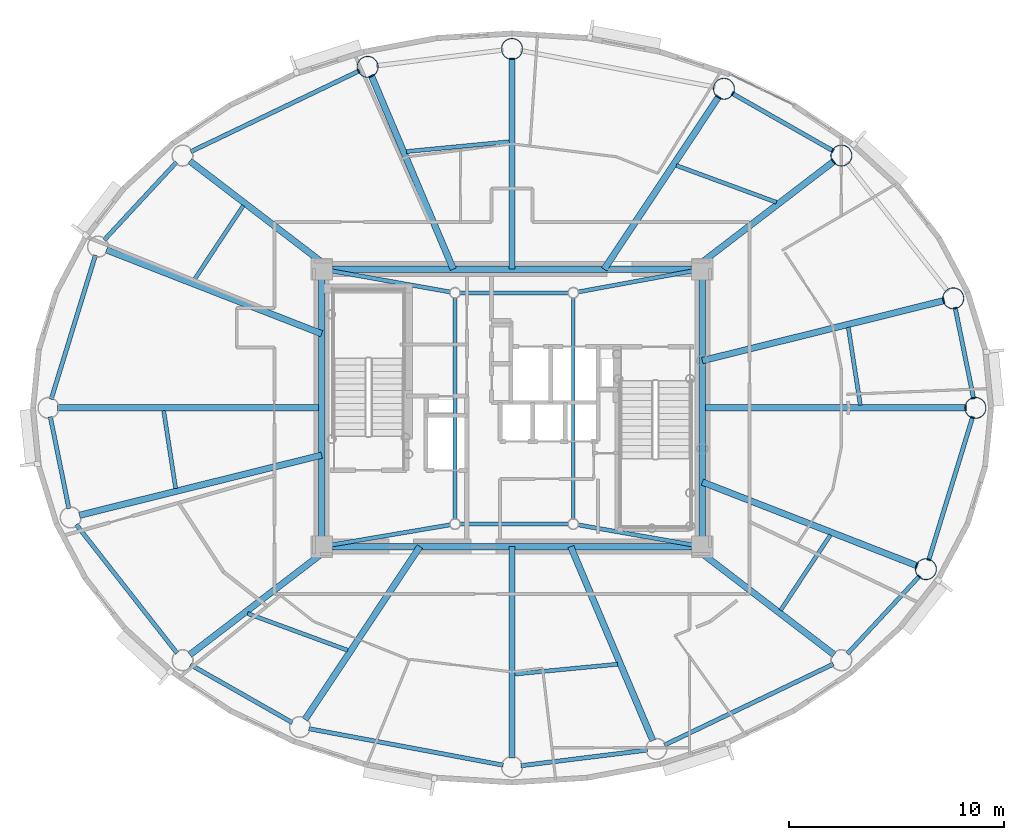
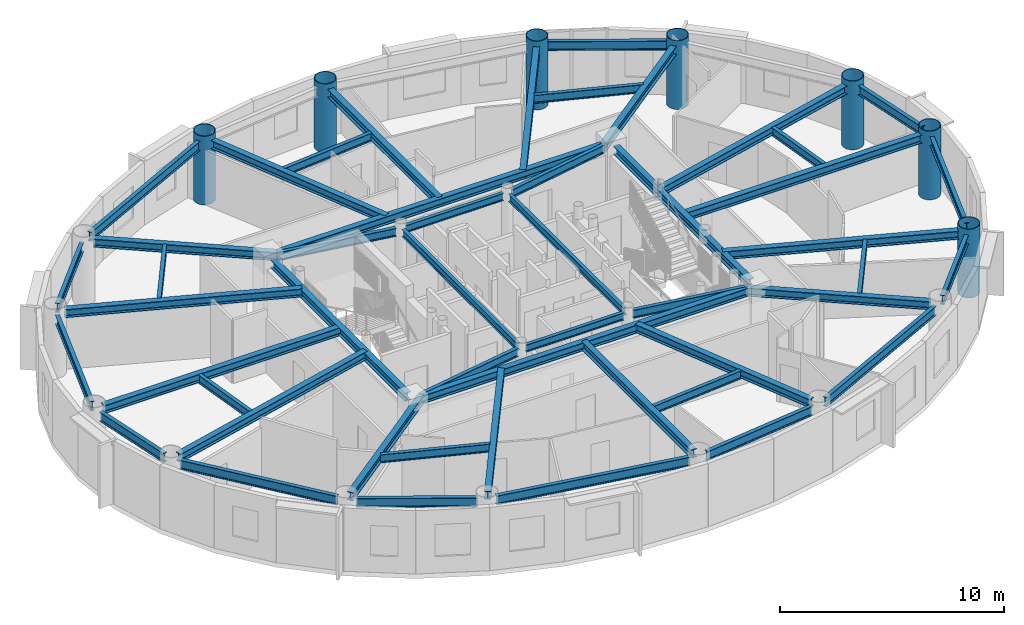
# One storey, part 2 of 17: 49 beams, 7 columns.
"""IFC4 building model written with IfcOpenShell, lengths in metres."""

from ifc_helpers import new_model, si_unit, direction, frame, origin, origin_2d, place, context, subcontext, project, spatial, hollow_circle, i_section, extrude, material, material_profile, profile_set, type_object, element, save


model = new_model("IFC4")

# Units and contexts
model_context = context("Model", 3, precision=1e-05, world=origin(), true_north=direction((0.0, 1.0)))
body_context = subcontext(model_context, "Body", "Model", "MODEL_VIEW")
ifc_project = project(units=[si_unit("LENGTHUNIT", "METRE"), si_unit("AREAUNIT", "SQUARE_METRE"), si_unit("VOLUMEUNIT", "CUBIC_METRE"), si_unit("PLANEANGLEUNIT", "RADIAN"), si_unit("MASSUNIT", "GRAM", prefix="KILO")], contexts=[model_context])

# Site, building, storey
site_placement = place(None, origin())
site = spatial("IfcSite", under=ifc_project, at=site_placement, CompositionType="ELEMENT")
building_placement = place(site_placement, origin())
building = spatial("IfcBuilding", under=site, at=building_placement, Name="Linh Dai School and Residence Tower", CompositionType="ELEMENT")
storey_placement = place(building_placement, frame((0.0, 0.0, 314.25)))
storey = spatial("IfcBuildingStorey", under=building, at=storey_placement, Name="L78", CompositionType="ELEMENT", Elevation=314.25)

# Columns
ifc_material = material(Name="Structural Steel S355JR", Category="steel")
ifc_material_profile_1 = material_profile(ifc_material, hollow_circle(Radius=0.5, WallThickness=0.031982421875, at=origin_2d()), Name="CHS 1000x32")
ifc_profile_set_1 = profile_set([ifc_material_profile_1], Name="Structural Steel S355JR")
column_type = type_object("IfcColumnType", Name="COL-MC6", PredefinedType="COLUMN", material=ifc_profile_set_1)
for number, where, z_axis, x_axis, name in (
    (1, (57.550048828125, 27.0, 0.0), (0.0, 0.0, 1.0), (1.0, 0.0, 0.0), "L78 Perimeter CFT Mega-Column MC01"),
    (2, (56.5185546875, 32.094482421875, 0.0), (0.0, 0.0, 1.0), (1.0, 0.0, 0.0), "L78 Perimeter CFT Mega-Column MC02"),
    (3, (51.315185546875, 38.7333984375, 0.0), (0.0, 0.0, 1.0), (1.0, 0.0, 0.0), "L78 Perimeter CFT Mega-Column MC03"),
    (4, (45.8544921875, 41.8388671875, 0.0), (0.0, 0.0, 1.0), (1.0, 0.0, 0.0), "L78 Perimeter CFT Mega-Column MC04"),
    (5, (36.0, 43.68994140625, 0.0), (0.0, 0.0, 1.0), (1.0, 0.0, 0.0), "L78 Perimeter CFT Mega-Column MC05"),
    (6, (29.28759765625, 42.857666015625, 0.0), (0.0, 0.0, 1.0), (1.0, 0.0, 0.0), "L78 Perimeter CFT Mega-Column MC06"),
    (7, (55.24609375, 19.50048828125, 0.0), (0.0, 0.0, 1.0), (1.0, 0.0, 0.0), "L78 Perimeter CFT Mega-Column MC16"),
):
    element("IfcColumn", number, at=place(storey_placement, frame(where, z_axis=z_axis, x_axis=x_axis)), inside=storey, type_object=column_type, Name=name, PredefinedType="COLUMN", context=body_context, shape_type="SweptSolid", body=[
        extrude(hollow_circle(Radius=0.5, WallThickness=0.031982421875, at=origin_2d()), origin(), (0.0, 0.0, 1.0), 3.75),
    ])

# Beams
ifc_material_profile_2 = material_profile(ifc_material, i_section(OverallWidth=0.199951171875, OverallDepth=0.5, WebThickness=0.01025390625, FlangeThickness=0.01611328125, FilletRadius=0.02099609375, at=origin_2d()), Name="IPE 500")
ifc_profile_set_2 = profile_set([ifc_material_profile_2], Name="Structural Steel S355JR")
beam_type_1 = type_object("IfcBeamType", Name="BM-RB50", PredefinedType="BEAM", material=ifc_profile_set_2)
beam_1_placement = place(storey_placement, frame((57.466552734375, 27.41162109375, 3.199951171875), z_axis=(-0.198442801529, 0.980112470343, 0.0), x_axis=(-0.980112470343, -0.198442801529, 0.0)))
element("IfcBeam", 8, at=beam_1_placement, inside=storey, type_object=beam_type_1, Name="L78 Perimeter Elliptical Ring Beam 01", PredefinedType="BEAM", context=body_context, shape_type="SweptSolid", body=[
    extrude(i_section(OverallWidth=0.199951171875, OverallDepth=0.5, WebThickness=0.01025390625, FlangeThickness=0.01611328125, FilletRadius=0.02099609375, at=origin_2d()), origin(), (0.0, 0.0, 1.0), 4.357666015625),
])
beam_2_placement = place(storey_placement, frame((50.949951171875, 38.94091796875, 3.199951171875), z_axis=(-0.869265548778, 0.494345431564, 0.0), x_axis=(-0.494345431564, -0.869265548778, 0.0)))
element("IfcBeam", 9, at=beam_2_placement, inside=storey, type_object=beam_type_1, Name="L78 Perimeter Elliptical Ring Beam 03", PredefinedType="BEAM", context=body_context, shape_type="SweptSolid", body=[
    extrude(i_section(OverallWidth=0.199951171875, OverallDepth=0.5, WebThickness=0.01025390625, FlangeThickness=0.01611328125, FilletRadius=0.02099609375, at=origin_2d()), origin(), (0.0, 0.0, 1.0), 5.44189453125),
])
beam_3_placement = place(storey_placement, frame((28.908935546875, 42.67626953125, 3.199951171875), z_axis=(-0.901728757887, -0.4323022637, 0.0), x_axis=(0.4323022637, -0.901728757887, 0.0)))
element("IfcBeam", 10, at=beam_3_placement, inside=storey, type_object=beam_type_1, Name="L78 Perimeter Elliptical Ring Beam 06", PredefinedType="BEAM", context=body_context, shape_type="SweptSolid", body=[
    extrude(i_section(OverallWidth=0.199951171875, OverallDepth=0.5, WebThickness=0.01025390625, FlangeThickness=0.01611328125, FilletRadius=0.02099609375, at=origin_2d()), origin(), (0.0, 0.0, 1.0), 8.700439453125),
])
beam_4_placement = place(storey_placement, frame((20.399169921875, 38.425537109375, 3.199951171875), z_axis=(-0.680415064526, -0.7328269509, 0.0), x_axis=(0.7328269509, -0.680415064526, 0.0)))
element("IfcBeam", 11, at=beam_4_placement, inside=storey, type_object=beam_type_1, Name="L78 Perimeter Elliptical Ring Beam 07", PredefinedType="BEAM", context=body_context, shape_type="SweptSolid", body=[
    extrude(i_section(OverallWidth=0.199951171875, OverallDepth=0.5, WebThickness=0.01025390625, FlangeThickness=0.01611328125, FilletRadius=0.02099609375, at=origin_2d()), origin(), (0.0, 0.0, 1.0), 4.9375),
])
beam_5_placement = place(storey_placement, frame((16.630615234375, 34.097900390625, 3.199951171875), z_axis=(-0.293681749834, -0.955903253376, 0.0), x_axis=(0.955903253376, -0.293681749834, 0.0)))
element("IfcBeam", 12, at=beam_5_placement, inside=storey, type_object=beam_type_1, Name="L78 Perimeter Elliptical Ring Beam 08", PredefinedType="BEAM", context=body_context, shape_type="SweptSolid", body=[
    extrude(i_section(OverallWidth=0.199951171875, OverallDepth=0.5, WebThickness=0.01025390625, FlangeThickness=0.01611328125, FilletRadius=0.02099609375, at=origin_2d()), origin(), (0.0, 0.0, 1.0), 7.00537109375),
])
beam_6_placement = place(storey_placement, frame((14.533447265625, 26.58837890625, 3.199951171875), z_axis=(0.198442801529, -0.980112470343, 0.0), x_axis=(0.980112470343, 0.198442801529, 0.0)))
element("IfcBeam", 13, at=beam_6_placement, inside=storey, type_object=beam_type_1, Name="L78 Perimeter Elliptical Ring Beam 09", PredefinedType="BEAM", context=body_context, shape_type="SweptSolid", body=[
    extrude(i_section(OverallWidth=0.199951171875, OverallDepth=0.5, WebThickness=0.01025390625, FlangeThickness=0.01611328125, FilletRadius=0.02099609375, at=origin_2d()), origin(), (0.0, 0.0, 1.0), 4.357666015625),
])
beam_7_placement = place(storey_placement, frame((15.740478515625, 21.574951171875, 3.199951171875), z_axis=(0.616882739554, -0.787055071542, 0.0), x_axis=(0.787055071542, 0.616882739554, 0.0)))
element("IfcBeam", 14, at=beam_7_placement, inside=storey, type_object=beam_type_1, Name="L78 Perimeter Elliptical Ring Beam 10", PredefinedType="BEAM", context=body_context, shape_type="SweptSolid", body=[
    extrude(i_section(OverallWidth=0.199951171875, OverallDepth=0.5, WebThickness=0.01025390625, FlangeThickness=0.01611328125, FilletRadius=0.02099609375, at=origin_2d()), origin(), (0.0, 0.0, 1.0), 7.59521484375),
])
beam_8_placement = place(storey_placement, frame((21.050048828125, 15.05908203125, 3.199951171875), z_axis=(0.869265548778, -0.494345431564, 0.0), x_axis=(0.494345431564, 0.869265548778, 0.0)))
element("IfcBeam", 15, at=beam_8_placement, inside=storey, type_object=beam_type_1, Name="L78 Perimeter Elliptical Ring Beam 11", PredefinedType="BEAM", context=body_context, shape_type="SweptSolid", body=[
    extrude(i_section(OverallWidth=0.199951171875, OverallDepth=0.5, WebThickness=0.01025390625, FlangeThickness=0.01611328125, FilletRadius=0.02099609375, at=origin_2d()), origin(), (0.0, 0.0, 1.0), 5.44189453125),
])
beam_9_placement = place(storey_placement, frame((26.558349609375, 12.083740234375, 3.199951171875), z_axis=(0.982805333306, -0.184644731378, 0.0), x_axis=(0.184644731378, 0.982805333306, 0.0)))
element("IfcBeam", 16, at=beam_9_placement, inside=storey, type_object=beam_type_1, Name="L78 Perimeter Elliptical Ring Beam 12", PredefinedType="BEAM", context=body_context, shape_type="SweptSolid", body=[
    extrude(i_section(OverallWidth=0.199951171875, OverallDepth=0.5, WebThickness=0.01025390625, FlangeThickness=0.01611328125, FilletRadius=0.02099609375, at=origin_2d()), origin(), (0.0, 0.0, 1.0), 9.186767578125),
])
beam_10_placement = place(storey_placement, frame((36.416748046875, 10.361572265625, 3.199951171875), z_axis=(0.992399134443, 0.123060789678, 0.0), x_axis=(-0.123060789678, 0.992399134443, 0.0)))
element("IfcBeam", 17, at=beam_10_placement, inside=storey, type_object=beam_type_1, Name="L78 Perimeter Elliptical Ring Beam 13", PredefinedType="BEAM", context=body_context, shape_type="SweptSolid", body=[
    extrude(i_section(OverallWidth=0.199951171875, OverallDepth=0.5, WebThickness=0.01025390625, FlangeThickness=0.01611328125, FilletRadius=0.02099609375, at=origin_2d()), origin(), (0.0, 0.0, 1.0), 5.923828125),
])
beam_11_placement = place(storey_placement, frame((43.091064453125, 11.32373046875, 3.199951171875), z_axis=(0.901728757887, 0.4323022637, 0.0), x_axis=(-0.4323022637, 0.901728757887, 0.0)))
element("IfcBeam", 18, at=beam_11_placement, inside=storey, type_object=beam_type_1, Name="L78 Perimeter Elliptical Ring Beam 14", PredefinedType="BEAM", context=body_context, shape_type="SweptSolid", body=[
    extrude(i_section(OverallWidth=0.199951171875, OverallDepth=0.5, WebThickness=0.01025390625, FlangeThickness=0.01611328125, FilletRadius=0.02099609375, at=origin_2d()), origin(), (0.0, 0.0, 1.0), 8.700439453125),
])
beam_12_placement = place(storey_placement, frame((51.600830078125, 15.574462890625, 3.199951171875), z_axis=(0.680415064526, 0.7328269509, 0.0), x_axis=(-0.7328269509, 0.680415064526, 0.0)))
element("IfcBeam", 19, at=beam_12_placement, inside=storey, type_object=beam_type_1, Name="L78 Perimeter Elliptical Ring Beam 15", PredefinedType="BEAM", context=body_context, shape_type="SweptSolid", body=[
    extrude(i_section(OverallWidth=0.199951171875, OverallDepth=0.5, WebThickness=0.01025390625, FlangeThickness=0.01611328125, FilletRadius=0.02099609375, at=origin_2d()), origin(), (0.0, 0.0, 1.0), 4.9375),
])
beam_13_placement = place(storey_placement, frame((55.369384765625, 19.902099609375, 3.199951171875), z_axis=(0.293681749834, 0.955903253376, 0.0), x_axis=(-0.955903253376, 0.293681749834, 0.0)))
element("IfcBeam", 20, at=beam_13_placement, inside=storey, type_object=beam_type_1, Name="L78 Perimeter Elliptical Ring Beam 16", PredefinedType="BEAM", context=body_context, shape_type="SweptSolid", body=[
    extrude(i_section(OverallWidth=0.199951171875, OverallDepth=0.5, WebThickness=0.01025390625, FlangeThickness=0.01611328125, FilletRadius=0.02099609375, at=origin_2d()), origin(), (0.0, 0.0, 1.0), 7.00537109375),
])
ifc_material_profile_3 = material_profile(ifc_material, i_section(OverallWidth=0.300048828125, OverallDepth=0.449951171875, WebThickness=0.013916015625, FlangeThickness=0.02587890625, FilletRadius=0.027099609375, at=origin_2d()), Name="HEB 450")
ifc_profile_set_3 = profile_set([ifc_material_profile_3], Name="Structural Steel S355JR")
beam_type_2 = type_object("IfcBeamType", Name="BM-RG45", PredefinedType="BEAM", material=ifc_profile_set_3)
beam_14_placement = place(storey_placement, frame((27.570068359375, 20.550048828125, 3.22509765625), z_axis=(1.0, 0.0, 0.0), x_axis=(0.0, 1.0, 0.0)))
element("IfcBeam", 21, at=beam_14_placement, inside=storey, type_object=beam_type_2, Name="L78 Core Perimeter Coupling Girder 1", PredefinedType="BEAM", context=body_context, shape_type="SweptSolid", body=[
    extrude(i_section(OverallWidth=0.300048828125, OverallDepth=0.449951171875, WebThickness=0.013916015625, FlangeThickness=0.02587890625, FilletRadius=0.027099609375, at=origin_2d()), origin(), (0.0, 0.0, 1.0), 16.85986328125),
])
beam_15_placement = place(storey_placement, frame((44.85009765625, 20.969970703125, 3.22509765625), z_axis=(0.0, 1.0, 0.0), x_axis=(-1.0, 0.0, 0.0)))
element("IfcBeam", 22, at=beam_15_placement, inside=storey, type_object=beam_type_2, Name="L78 Core Perimeter Coupling Girder 2", PredefinedType="BEAM", context=body_context, shape_type="SweptSolid", body=[
    extrude(i_section(OverallWidth=0.300048828125, OverallDepth=0.449951171875, WebThickness=0.013916015625, FlangeThickness=0.02587890625, FilletRadius=0.027099609375, at=origin_2d()), origin(), (0.0, 0.0, 1.0), 12.06005859375),
])
beam_16_placement = place(storey_placement, frame((44.429931640625, 33.449951171875, 3.22509765625), z_axis=(-1.0, 0.0, 0.0), x_axis=(0.0, -1.0, 0.0)))
element("IfcBeam", 23, at=beam_16_placement, inside=storey, type_object=beam_type_2, Name="L78 Core Perimeter Coupling Girder 3", PredefinedType="BEAM", context=body_context, shape_type="SweptSolid", body=[
    extrude(i_section(OverallWidth=0.300048828125, OverallDepth=0.449951171875, WebThickness=0.013916015625, FlangeThickness=0.02587890625, FilletRadius=0.027099609375, at=origin_2d()), origin(), (0.0, 0.0, 1.0), 16.85986328125),
])
beam_17_placement = place(storey_placement, frame((27.14990234375, 33.030029296875, 3.22509765625), z_axis=(0.0, -1.0, 0.0), x_axis=(1.0, 0.0, 0.0)))
element("IfcBeam", 24, at=beam_17_placement, inside=storey, type_object=beam_type_2, Name="L78 Core Perimeter Coupling Girder 4", PredefinedType="BEAM", context=body_context, shape_type="SweptSolid", body=[
    extrude(i_section(OverallWidth=0.300048828125, OverallDepth=0.449951171875, WebThickness=0.013916015625, FlangeThickness=0.02587890625, FilletRadius=0.027099609375, at=origin_2d()), origin(), (0.0, 0.0, 1.0), 12.06005859375),
])
beam_18_placement = place(storey_placement, frame((44.85009765625, 27.0, 3.22509765625), z_axis=(1.0, 0.0, 0.0), x_axis=(0.0, 1.0, 0.0)))
element("IfcBeam", 25, at=beam_18_placement, inside=storey, type_object=beam_type_2, Name="L78 Primary Radial Floor Girder 01", PredefinedType="BEAM", context=body_context, shape_type="SweptSolid", body=[
    extrude(i_section(OverallWidth=0.300048828125, OverallDepth=0.449951171875, WebThickness=0.013916015625, FlangeThickness=0.02587890625, FilletRadius=0.027099609375, at=origin_2d()), origin(), (0.0, 0.0, 1.0), 12.27978515625),
])
beam_19_placement = place(storey_placement, frame((44.85009765625, 29.197265625, 3.22509765625), z_axis=(0.970532368701, 0.240970789315, 0.0), x_axis=(-0.240970789315, 0.970532368701, 0.0)))
element("IfcBeam", 26, at=beam_19_placement, inside=storey, type_object=beam_type_2, Name="L78 Primary Radial Floor Girder 02", PredefinedType="BEAM", context=body_context, shape_type="SweptSolid", body=[
    extrude(i_section(OverallWidth=0.300048828125, OverallDepth=0.449951171875, WebThickness=0.013916015625, FlangeThickness=0.02587890625, FilletRadius=0.027099609375, at=origin_2d()), origin(), (0.0, 0.0, 1.0), 11.6025390625),
])
beam_20_placement = place(storey_placement, frame((44.4189453125, 33.449951171875, 3.22509765625), z_axis=(0.793802616583, 0.608175472956, 0.0), x_axis=(-0.608175472956, 0.793802616583, 0.0)))
element("IfcBeam", 27, at=beam_20_placement, inside=storey, type_object=beam_type_2, Name="L78 Primary Radial Floor Girder 03", PredefinedType="BEAM", context=body_context, shape_type="SweptSolid", body=[
    extrude(i_section(OverallWidth=0.300048828125, OverallDepth=0.449951171875, WebThickness=0.013916015625, FlangeThickness=0.02587890625, FilletRadius=0.027099609375, at=origin_2d()), origin(), (0.0, 0.0, 1.0), 8.267578125),
])
beam_21_placement = place(storey_placement, frame((40.283447265625, 33.449951171875, 3.22509765625), z_axis=(0.553210566646, 0.833041456922, 0.0), x_axis=(-0.833041456922, 0.553210566646, 0.0)))
element("IfcBeam", 28, at=beam_21_placement, inside=storey, type_object=beam_type_2, Name="L78 Primary Radial Floor Girder 04", PredefinedType="BEAM", context=body_context, shape_type="SweptSolid", body=[
    extrude(i_section(OverallWidth=0.300048828125, OverallDepth=0.449951171875, WebThickness=0.013916015625, FlangeThickness=0.02587890625, FilletRadius=0.027099609375, at=origin_2d()), origin(), (0.0, 0.0, 1.0), 9.650146484375),
])
beam_22_placement = place(storey_placement, frame((36.0, 33.449951171875, 3.22509765625), z_axis=(0.0, 1.0, 0.0), x_axis=(-1.0, 0.0, 0.0)))
element("IfcBeam", 29, at=beam_22_placement, inside=storey, type_object=beam_type_2, Name="L78 Primary Radial Floor Girder 05", PredefinedType="BEAM", context=body_context, shape_type="SweptSolid", body=[
    extrude(i_section(OverallWidth=0.300048828125, OverallDepth=0.449951171875, WebThickness=0.013916015625, FlangeThickness=0.02587890625, FilletRadius=0.027099609375, at=origin_2d()), origin(), (0.0, 0.0, 1.0), 9.820068359375),
])
beam_23_placement = place(storey_placement, frame((33.269775390625, 33.449951171875, 3.22509765625), z_axis=(-0.389794463678, 0.920901881899, 0.0), x_axis=(-0.920901881899, -0.389794463678, 0.0)))
element("IfcBeam", 30, at=beam_23_placement, inside=storey, type_object=beam_type_2, Name="L78 Primary Radial Floor Girder 06", PredefinedType="BEAM", context=body_context, shape_type="SweptSolid", body=[
    extrude(i_section(OverallWidth=0.300048828125, OverallDepth=0.449951171875, WebThickness=0.013916015625, FlangeThickness=0.02587890625, FilletRadius=0.027099609375, at=origin_2d()), origin(), (0.0, 0.0, 1.0), 9.7958984375),
])
beam_24_placement = place(storey_placement, frame((27.5810546875, 33.449951171875, 3.22509765625), z_axis=(-0.793802616583, 0.608175472956, 0.0), x_axis=(-0.608175472956, -0.793802616583, 0.0)))
element("IfcBeam", 31, at=beam_24_placement, inside=storey, type_object=beam_type_2, Name="L78 Primary Radial Floor Girder 07", PredefinedType="BEAM", context=body_context, shape_type="SweptSolid", body=[
    extrude(i_section(OverallWidth=0.300048828125, OverallDepth=0.449951171875, WebThickness=0.013916015625, FlangeThickness=0.02587890625, FilletRadius=0.027099609375, at=origin_2d()), origin(), (0.0, 0.0, 1.0), 8.267578125),
])
beam_25_placement = place(storey_placement, frame((27.14990234375, 30.448486328125, 3.22509765625), z_axis=(-0.931760809838, 0.363072710693, 0.0), x_axis=(-0.363072710693, -0.931760809838, 0.0)))
element("IfcBeam", 32, at=beam_25_placement, inside=storey, type_object=beam_type_2, Name="L78 Primary Radial Floor Girder 08", PredefinedType="BEAM", context=body_context, shape_type="SweptSolid", body=[
    extrude(i_section(OverallWidth=0.300048828125, OverallDepth=0.449951171875, WebThickness=0.013916015625, FlangeThickness=0.02587890625, FilletRadius=0.027099609375, at=origin_2d()), origin(), (0.0, 0.0, 1.0), 10.7373046875),
])
beam_26_placement = place(storey_placement, frame((27.14990234375, 27.0, 3.22509765625), z_axis=(-1.0, 0.0, 0.0), x_axis=(0.0, -1.0, 0.0)))
element("IfcBeam", 33, at=beam_26_placement, inside=storey, type_object=beam_type_2, Name="L78 Primary Radial Floor Girder 09", PredefinedType="BEAM", context=body_context, shape_type="SweptSolid", body=[
    extrude(i_section(OverallWidth=0.300048828125, OverallDepth=0.449951171875, WebThickness=0.013916015625, FlangeThickness=0.02587890625, FilletRadius=0.027099609375, at=origin_2d()), origin(), (0.0, 0.0, 1.0), 12.27978515625),
])
beam_27_placement = place(storey_placement, frame((27.14990234375, 24.802734375, 3.22509765625), z_axis=(-0.970532368701, -0.240970789315, 0.0), x_axis=(0.240970789315, -0.970532368701, 0.0)))
element("IfcBeam", 34, at=beam_27_placement, inside=storey, type_object=beam_type_2, Name="L78 Primary Radial Floor Girder 10", PredefinedType="BEAM", context=body_context, shape_type="SweptSolid", body=[
    extrude(i_section(OverallWidth=0.300048828125, OverallDepth=0.449951171875, WebThickness=0.013916015625, FlangeThickness=0.02587890625, FilletRadius=0.027099609375, at=origin_2d()), origin(), (0.0, 0.0, 1.0), 11.6025390625),
])
beam_28_placement = place(storey_placement, frame((27.5810546875, 20.550048828125, 3.22509765625), z_axis=(-0.793802616583, -0.608175472956, 0.0), x_axis=(0.608175472956, -0.793802616583, 0.0)))
element("IfcBeam", 35, at=beam_28_placement, inside=storey, type_object=beam_type_2, Name="L78 Primary Radial Floor Girder 11", PredefinedType="BEAM", context=body_context, shape_type="SweptSolid", body=[
    extrude(i_section(OverallWidth=0.300048828125, OverallDepth=0.449951171875, WebThickness=0.013916015625, FlangeThickness=0.02587890625, FilletRadius=0.027099609375, at=origin_2d()), origin(), (0.0, 0.0, 1.0), 8.267578125),
])
beam_29_placement = place(storey_placement, frame((31.716552734375, 20.550048828125, 3.22509765625), z_axis=(-0.553210566646, -0.833041456922, 0.0), x_axis=(0.833041456922, -0.553210566646, 0.0)))
element("IfcBeam", 36, at=beam_29_placement, inside=storey, type_object=beam_type_2, Name="L78 Primary Radial Floor Girder 12", PredefinedType="BEAM", context=body_context, shape_type="SweptSolid", body=[
    extrude(i_section(OverallWidth=0.300048828125, OverallDepth=0.449951171875, WebThickness=0.013916015625, FlangeThickness=0.02587890625, FilletRadius=0.027099609375, at=origin_2d()), origin(), (0.0, 0.0, 1.0), 9.650146484375),
])
beam_30_placement = place(storey_placement, frame((36.0, 20.550048828125, 3.22509765625), z_axis=(0.0, -1.0, 0.0), x_axis=(1.0, 0.0, 0.0)))
element("IfcBeam", 37, at=beam_30_placement, inside=storey, type_object=beam_type_2, Name="L78 Primary Radial Floor Girder 13", PredefinedType="BEAM", context=body_context, shape_type="SweptSolid", body=[
    extrude(i_section(OverallWidth=0.300048828125, OverallDepth=0.449951171875, WebThickness=0.013916015625, FlangeThickness=0.02587890625, FilletRadius=0.027099609375, at=origin_2d()), origin(), (0.0, 0.0, 1.0), 9.820068359375),
])
beam_31_placement = place(storey_placement, frame((38.730224609375, 20.550048828125, 3.22509765625), z_axis=(0.389794463678, -0.920901881899, 0.0), x_axis=(0.920901881899, 0.389794463678, 0.0)))
element("IfcBeam", 38, at=beam_31_placement, inside=storey, type_object=beam_type_2, Name="L78 Primary Radial Floor Girder 14", PredefinedType="BEAM", context=body_context, shape_type="SweptSolid", body=[
    extrude(i_section(OverallWidth=0.300048828125, OverallDepth=0.449951171875, WebThickness=0.013916015625, FlangeThickness=0.02587890625, FilletRadius=0.027099609375, at=origin_2d()), origin(), (0.0, 0.0, 1.0), 9.7958984375),
])
beam_32_placement = place(storey_placement, frame((44.4189453125, 20.550048828125, 3.22509765625), z_axis=(0.793802616583, -0.608175472956, 0.0), x_axis=(0.608175472956, 0.793802616583, 0.0)))
element("IfcBeam", 39, at=beam_32_placement, inside=storey, type_object=beam_type_2, Name="L78 Primary Radial Floor Girder 15", PredefinedType="BEAM", context=body_context, shape_type="SweptSolid", body=[
    extrude(i_section(OverallWidth=0.300048828125, OverallDepth=0.449951171875, WebThickness=0.013916015625, FlangeThickness=0.02587890625, FilletRadius=0.027099609375, at=origin_2d()), origin(), (0.0, 0.0, 1.0), 8.267578125),
])
beam_33_placement = place(storey_placement, frame((44.85009765625, 23.551513671875, 3.22509765625), z_axis=(0.931760809838, -0.363072710693, 0.0), x_axis=(0.363072710693, 0.931760809838, 0.0)))
element("IfcBeam", 40, at=beam_33_placement, inside=storey, type_object=beam_type_2, Name="L78 Primary Radial Floor Girder 16", PredefinedType="BEAM", context=body_context, shape_type="SweptSolid", body=[
    extrude(i_section(OverallWidth=0.300048828125, OverallDepth=0.449951171875, WebThickness=0.013916015625, FlangeThickness=0.02587890625, FilletRadius=0.027099609375, at=origin_2d()), origin(), (0.0, 0.0, 1.0), 10.7373046875),
])
ifc_material_profile_4 = material_profile(ifc_material, i_section(OverallWidth=0.179931640625, OverallDepth=0.39990234375, WebThickness=0.008544921875, FlangeThickness=0.013427734375, FilletRadius=0.02099609375, at=origin_2d()), Name="IPE 400")
ifc_profile_set_4 = profile_set([ifc_material_profile_4], Name="Structural Steel S355JR")
beam_type_3 = type_object("IfcBeamType", Name="BM-SB40", PredefinedType="BEAM", material=ifc_profile_set_4)
beam_34_placement = place(storey_placement, frame((33.573974609375, 21.60009765625, 3.25), z_axis=(1.0, 0.0, 0.0), x_axis=(0.0, 1.0, 0.0)))
element("IfcBeam", 41, at=beam_34_placement, inside=storey, type_object=beam_type_3, Name="L78 Core Mast Pier Tie Beam 1", PredefinedType="BEAM", context=body_context, shape_type="SweptSolid", body=[
    extrude(i_section(OverallWidth=0.179931640625, OverallDepth=0.39990234375, WebThickness=0.008544921875, FlangeThickness=0.013427734375, FilletRadius=0.02099609375, at=origin_2d()), origin(), (0.0, 0.0, 1.0), 5.052001953125),
])
beam_35_placement = place(storey_placement, frame((38.85009765625, 21.823974609375, 3.25), z_axis=(0.0, 1.0, 0.0), x_axis=(-1.0, 0.0, 0.0)))
element("IfcBeam", 42, at=beam_35_placement, inside=storey, type_object=beam_type_3, Name="L78 Core Mast Pier Tie Beam 2", PredefinedType="BEAM", context=body_context, shape_type="SweptSolid", body=[
    extrude(i_section(OverallWidth=0.179931640625, OverallDepth=0.39990234375, WebThickness=0.008544921875, FlangeThickness=0.013427734375, FilletRadius=0.02099609375, at=origin_2d()), origin(), (0.0, 0.0, 1.0), 10.302001953125),
])
beam_36_placement = place(storey_placement, frame((38.6259765625, 32.35009765625, 3.25), z_axis=(-1.0, 0.0, 0.0), x_axis=(0.0, -1.0, 0.0)))
element("IfcBeam", 43, at=beam_36_placement, inside=storey, type_object=beam_type_3, Name="L78 Core Mast Pier Tie Beam 3", PredefinedType="BEAM", context=body_context, shape_type="SweptSolid", body=[
    extrude(i_section(OverallWidth=0.179931640625, OverallDepth=0.39990234375, WebThickness=0.008544921875, FlangeThickness=0.013427734375, FilletRadius=0.02099609375, at=origin_2d()), origin(), (0.0, 0.0, 1.0), 5.052001953125),
])
beam_37_placement = place(storey_placement, frame((33.35009765625, 32.1259765625, 3.25), z_axis=(0.0, -1.0, 0.0), x_axis=(1.0, 0.0, 0.0)))
element("IfcBeam", 44, at=beam_37_placement, inside=storey, type_object=beam_type_3, Name="L78 Core Mast Pier Tie Beam 4", PredefinedType="BEAM", context=body_context, shape_type="SweptSolid", body=[
    extrude(i_section(OverallWidth=0.179931640625, OverallDepth=0.39990234375, WebThickness=0.008544921875, FlangeThickness=0.013427734375, FilletRadius=0.02099609375, at=origin_2d()), origin(), (0.0, 0.0, 1.0), 10.302001953125),
])
ifc_material_profile_5 = material_profile(ifc_material, i_section(OverallWidth=0.18994140625, OverallDepth=0.449951171875, WebThickness=0.009521484375, FlangeThickness=0.0146484375, FilletRadius=0.02099609375, at=origin_2d()), Name="IPE 450")
ifc_profile_set_5 = profile_set([ifc_material_profile_5], Name="Structural Steel S355JR")
beam_type_4 = type_object("IfcBeamType", Name="BM-SB45", PredefinedType="BEAM", material=ifc_profile_set_5)
beam_38_placement = place(storey_placement, frame((27.564208984375, 20.6201171875, 3.22509765625), z_axis=(0.98596270559, 0.166965694638, 0.0), x_axis=(-0.166965694638, 0.98596270559, 0.0)))
element("IfcBeam", 45, at=beam_38_placement, inside=storey, type_object=beam_type_4, Name="L78 Core Corner-to-Mast Pier Beam 1", PredefinedType="BEAM", context=body_context, shape_type="SweptSolid", body=[
    extrude(i_section(OverallWidth=0.18994140625, OverallDepth=0.449951171875, WebThickness=0.009521484375, FlangeThickness=0.0146484375, FilletRadius=0.02099609375, at=origin_2d()), origin(), (0.0, 0.0, 1.0), 5.644287109375),
])
beam_39_placement = place(storey_placement, frame((44.436279296875, 20.622314453125, 3.22509765625), z_axis=(-0.985031608673, 0.17237380867, 0.0), x_axis=(-0.17237380867, -0.985031608673, 0.0)))
element("IfcBeam", 46, at=beam_39_placement, inside=storey, type_object=beam_type_4, Name="L78 Core Corner-to-Mast Pier Beam 2", PredefinedType="BEAM", context=body_context, shape_type="SweptSolid", body=[
    extrude(i_section(OverallWidth=0.18994140625, OverallDepth=0.449951171875, WebThickness=0.009521484375, FlangeThickness=0.0146484375, FilletRadius=0.02099609375, at=origin_2d()), origin(), (0.0, 0.0, 1.0), 5.447265625),
])
beam_40_placement = place(storey_placement, frame((44.436767578125, 33.374267578125, 3.22509765625), z_axis=(-0.983605366802, -0.180334362777, 0.0), x_axis=(0.180334362777, -0.983605366802, 0.0)))
element("IfcBeam", 47, at=beam_40_placement, inside=storey, type_object=beam_type_4, Name="L78 Core Corner-to-Mast Pier Beam 3", PredefinedType="BEAM", context=body_context, shape_type="SweptSolid", body=[
    extrude(i_section(OverallWidth=0.18994140625, OverallDepth=0.449951171875, WebThickness=0.009521484375, FlangeThickness=0.0146484375, FilletRadius=0.02099609375, at=origin_2d()), origin(), (0.0, 0.0, 1.0), 5.455810546875),
])
beam_41_placement = place(storey_placement, frame((27.5634765625, 33.376708984375, 3.22509765625), z_axis=(0.984621828197, -0.174699328672, 0.0), x_axis=(0.174699328672, 0.984621828197, 0.0)))
element("IfcBeam", 48, at=beam_41_placement, inside=storey, type_object=beam_type_4, Name="L78 Core Corner-to-Mast Pier Beam 4", PredefinedType="BEAM", context=body_context, shape_type="SweptSolid", body=[
    extrude(i_section(OverallWidth=0.18994140625, OverallDepth=0.449951171875, WebThickness=0.009521484375, FlangeThickness=0.0146484375, FilletRadius=0.02099609375, at=origin_2d()), origin(), (0.0, 0.0, 1.0), 5.65283203125),
])
beam_42_placement = place(storey_placement, frame((52.1962890625, 27.12841796875, 3.22509765625), z_axis=(-0.152477826599, 0.988306891808, 0.0), x_axis=(-0.988306891808, -0.152477826599, 0.0)))
element("IfcBeam", 49, at=beam_42_placement, inside=storey, type_object=beam_type_4, Name="L78 Secondary Circumferential Floor Beam 01", PredefinedType="BEAM", context=body_context, shape_type="SweptSolid", body=[
    extrude(i_section(OverallWidth=0.18994140625, OverallDepth=0.449951171875, WebThickness=0.009521484375, FlangeThickness=0.0146484375, FilletRadius=0.02099609375, at=origin_2d()), origin(), (0.0, 0.0, 1.0), 3.663330078125),
])
beam_43_placement = place(storey_placement, frame((48.296630859375, 36.55908203125, 3.22509765625), z_axis=(-0.93867853021, 0.344793585964, 0.0), x_axis=(-0.344793585964, -0.93867853021, 0.0)))
element("IfcBeam", 50, at=beam_43_placement, inside=storey, type_object=beam_type_4, Name="L78 Secondary Circumferential Floor Beam 02", PredefinedType="BEAM", context=body_context, shape_type="SweptSolid", body=[
    extrude(i_section(OverallWidth=0.18994140625, OverallDepth=0.449951171875, WebThickness=0.009521484375, FlangeThickness=0.0146484375, FilletRadius=0.02099609375, at=origin_2d()), origin(), (0.0, 0.0, 1.0), 4.96435546875),
])
beam_44_placement = place(storey_placement, frame((35.87060546875, 39.376708984375, 3.22509765625), z_axis=(-0.995447598318, -0.09531043491, 0.0), x_axis=(0.09531043491, -0.995447598318, 0.0)))
element("IfcBeam", 51, at=beam_44_placement, inside=storey, type_object=beam_type_4, Name="L78 Secondary Circumferential Floor Beam 03", PredefinedType="BEAM", context=body_context, shape_type="SweptSolid", body=[
    extrude(i_section(OverallWidth=0.18994140625, OverallDepth=0.449951171875, WebThickness=0.009521484375, FlangeThickness=0.0146484375, FilletRadius=0.02099609375, at=origin_2d()), origin(), (0.0, 0.0, 1.0), 4.802978515625),
])
beam_45_placement = place(storey_placement, frame((23.509521484375, 36.406005859375, 3.22509765625), z_axis=(-0.552120293776, -0.833764463863, 0.0), x_axis=(0.833764463863, -0.552120293776, 0.0)))
element("IfcBeam", 52, at=beam_45_placement, inside=storey, type_object=beam_type_4, Name="L78 Secondary Circumferential Floor Beam 04", PredefinedType="BEAM", context=body_context, shape_type="SweptSolid", body=[
    extrude(i_section(OverallWidth=0.18994140625, OverallDepth=0.449951171875, WebThickness=0.009521484375, FlangeThickness=0.0146484375, FilletRadius=0.02099609375, at=origin_2d()), origin(), (0.0, 0.0, 1.0), 4.197265625),
])
beam_46_placement = place(storey_placement, frame((19.8037109375, 26.87158203125, 3.22509765625), z_axis=(0.152477826599, -0.988306891808, 0.0), x_axis=(0.988306891808, 0.152477826599, 0.0)))
element("IfcBeam", 53, at=beam_46_placement, inside=storey, type_object=beam_type_4, Name="L78 Secondary Circumferential Floor Beam 05", PredefinedType="BEAM", context=body_context, shape_type="SweptSolid", body=[
    extrude(i_section(OverallWidth=0.18994140625, OverallDepth=0.449951171875, WebThickness=0.009521484375, FlangeThickness=0.0146484375, FilletRadius=0.02099609375, at=origin_2d()), origin(), (0.0, 0.0, 1.0), 3.663330078125),
])
beam_47_placement = place(storey_placement, frame((23.703369140625, 17.44091796875, 3.22509765625), z_axis=(0.93867853021, -0.344793585964, 0.0), x_axis=(0.344793585964, 0.93867853021, 0.0)))
element("IfcBeam", 54, at=beam_47_placement, inside=storey, type_object=beam_type_4, Name="L78 Secondary Circumferential Floor Beam 06", PredefinedType="BEAM", context=body_context, shape_type="SweptSolid", body=[
    extrude(i_section(OverallWidth=0.18994140625, OverallDepth=0.449951171875, WebThickness=0.009521484375, FlangeThickness=0.0146484375, FilletRadius=0.02099609375, at=origin_2d()), origin(), (0.0, 0.0, 1.0), 4.96435546875),
])
beam_48_placement = place(storey_placement, frame((36.12939453125, 14.623291015625, 3.22509765625), z_axis=(0.995447598318, 0.09531043491, 0.0), x_axis=(-0.09531043491, 0.995447598318, 0.0)))
element("IfcBeam", 55, at=beam_48_placement, inside=storey, type_object=beam_type_4, Name="L78 Secondary Circumferential Floor Beam 07", PredefinedType="BEAM", context=body_context, shape_type="SweptSolid", body=[
    extrude(i_section(OverallWidth=0.18994140625, OverallDepth=0.449951171875, WebThickness=0.009521484375, FlangeThickness=0.0146484375, FilletRadius=0.02099609375, at=origin_2d()), origin(), (0.0, 0.0, 1.0), 4.802978515625),
])
beam_49_placement = place(storey_placement, frame((48.490478515625, 17.593994140625, 3.22509765625), z_axis=(0.552120293776, 0.833764463863, 0.0), x_axis=(-0.833764463863, 0.552120293776, 0.0)))
element("IfcBeam", 56, at=beam_49_placement, inside=storey, type_object=beam_type_4, Name="L78 Secondary Circumferential Floor Beam 08", PredefinedType="BEAM", context=body_context, shape_type="SweptSolid", body=[
    extrude(i_section(OverallWidth=0.18994140625, OverallDepth=0.449951171875, WebThickness=0.009521484375, FlangeThickness=0.0146484375, FilletRadius=0.02099609375, at=origin_2d()), origin(), (0.0, 0.0, 1.0), 4.197265625),
])

save(model, "model.ifc")
